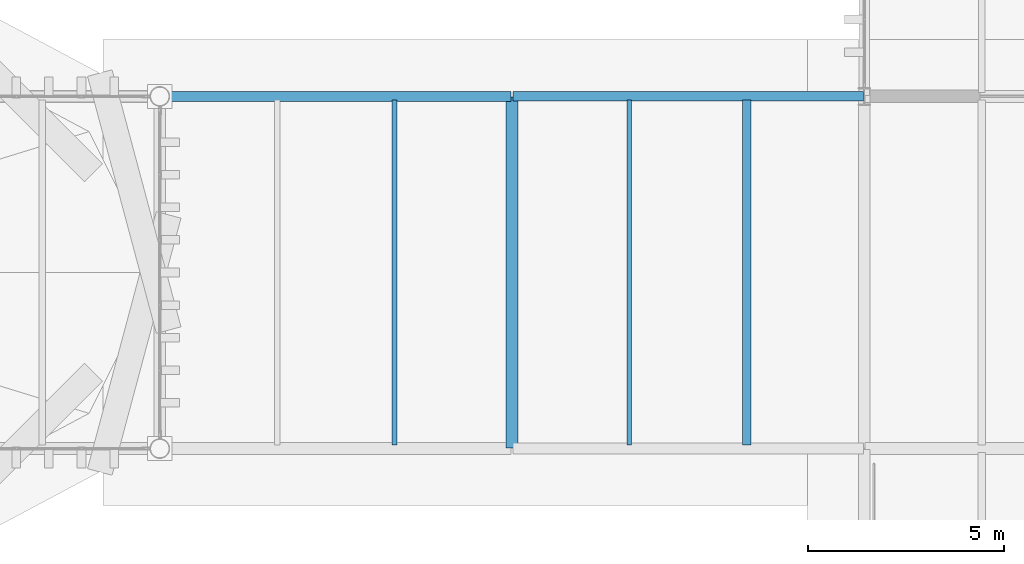
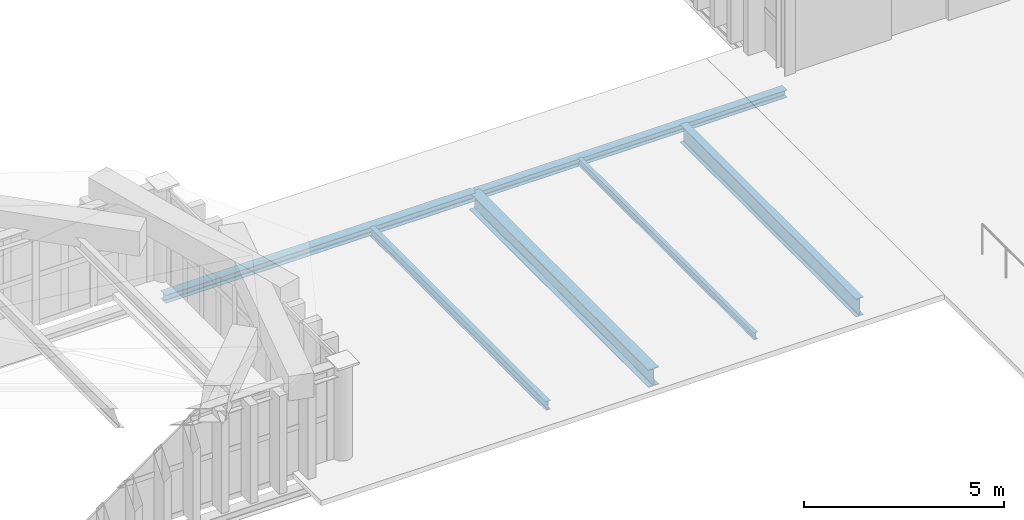
# One storey, part 23 of 102: 6 beams.
"""IFC4 building model written with IfcOpenShell, lengths in metres."""

from ifc_helpers import new_model, si_unit, direction, frame, origin, origin_2d, place, context, subcontext, project, spatial, i_section, extrude, material, material_profile, profile_set, type_object, element, save


model = new_model("IFC4")

# Units and contexts
model_context = context("Model", 3, precision=1e-05, world=origin(), true_north=direction((0.0, 1.0)))
body_context = subcontext(model_context, "Body", "Model", "MODEL_VIEW")
ifc_project = project(units=[si_unit("LENGTHUNIT", "METRE"), si_unit("AREAUNIT", "SQUARE_METRE"), si_unit("VOLUMEUNIT", "CUBIC_METRE"), si_unit("PLANEANGLEUNIT", "RADIAN"), si_unit("MASSUNIT", "GRAM", prefix="KILO")], contexts=[model_context])

# Site, building, storey
site_placement = place(None, origin())
site = spatial("IfcSite", under=ifc_project, at=site_placement, CompositionType="ELEMENT")
building_placement = place(site_placement, origin())
building = spatial("IfcBuilding", under=site, at=building_placement, Name="Barlavento Convention Centre", CompositionType="ELEMENT")
storey_placement = place(building_placement, frame((0.0, 0.0, 22.800048828125)))
storey = spatial("IfcBuildingStorey", under=building, at=storey_placement, Name="L04", CompositionType="ELEMENT", Elevation=22.800048828125)

# Beams
ifc_material = material(Name="Steel S355", Category="steel")
ifc_material_profile_1 = material_profile(ifc_material, i_section(OverallWidth=0.110107421875, OverallDepth=0.219970703125, WebThickness=0.005859375, FlangeThickness=0.00927734375, FilletRadius=0.011962890625, at=origin_2d()), Name="IPE 220")
ifc_profile_set_1 = profile_set([ifc_material_profile_1], Name="Steel S355")
beam_type_1 = type_object("IfcBeamType", Name="STR-BM-JST-IPE220", PredefinedType="JOIST", material=ifc_profile_set_1)
beam_1_placement = place(storey_placement, frame((120.0, 45.094970703125, -0.455078125), z_axis=(0.0, 1.0, 0.0), x_axis=(-1.0, 0.0, 0.0)))
element("IfcBeam", 1, at=beam_1_placement, inside=storey, type_object=beam_type_1, Name="L04 composite floor joist SJ10", PredefinedType="JOIST", context=body_context, shape_type="SweptSolid", body=[
    extrude(i_section(OverallWidth=0.110107421875, OverallDepth=0.219970703125, WebThickness=0.005859375, FlangeThickness=0.00927734375, FilletRadius=0.011962890625, at=origin_2d()), origin(), (0.0, 0.0, 1.0), 8.81005859375),
])
ifc_material_profile_2 = material_profile(ifc_material, i_section(OverallWidth=0.135009765625, OverallDepth=0.27001953125, WebThickness=0.006591796875, FlangeThickness=0.01025390625, FilletRadius=0.014892578125, at=origin_2d()), Name="IPE 270")
ifc_profile_set_2 = profile_set([ifc_material_profile_2], Name="Steel S355")
beam_type_2 = type_object("IfcBeamType", Name="STR-BM-JST-IPE270", PredefinedType="JOIST", material=ifc_profile_set_2)
beam_2_placement = place(storey_placement, frame((114.0, 45.094970703125, -0.47998046875), z_axis=(0.0, 1.0, 0.0), x_axis=(-1.0, 0.0, 0.0)))
element("IfcBeam", 2, at=beam_2_placement, inside=storey, type_object=beam_type_2, Name="L04 composite floor joist SJ08", PredefinedType="JOIST", context=body_context, shape_type="SweptSolid", body=[
    extrude(i_section(OverallWidth=0.135009765625, OverallDepth=0.27001953125, WebThickness=0.006591796875, FlangeThickness=0.01025390625, FilletRadius=0.014892578125, at=origin_2d()), origin(), (0.0, 0.0, 1.0), 8.81005859375),
])
ifc_material_profile_3 = material_profile(ifc_material, i_section(OverallWidth=0.2099609375, OverallDepth=0.550048828125, WebThickness=0.010986328125, FlangeThickness=0.01708984375, FilletRadius=0.02392578125, at=origin_2d()), Name="IPE 550")
ifc_profile_set_3 = profile_set([ifc_material_profile_3], Name="Steel S355")
beam_type_3 = type_object("IfcBeamType", Name="STR-BM-JST-IPE550", PredefinedType="JOIST", material=ifc_profile_set_3)
beam_3_placement = place(storey_placement, frame((123.0, 45.094970703125, -0.6201171875), z_axis=(0.0, 1.0, 0.0), x_axis=(-1.0, 0.0, 0.0)))
element("IfcBeam", 3, at=beam_3_placement, inside=storey, type_object=beam_type_3, Name="L04 composite floor joist SJ01", PredefinedType="JOIST", context=body_context, shape_type="SweptSolid", body=[
    extrude(i_section(OverallWidth=0.2099609375, OverallDepth=0.550048828125, WebThickness=0.010986328125, FlangeThickness=0.01708984375, FilletRadius=0.02392578125, at=origin_2d()), origin(), (0.0, 0.0, 1.0), 8.81005859375),
])
ifc_material_profile_4 = material_profile(ifc_material, i_section(OverallWidth=0.300048828125, OverallDepth=0.5400390625, WebThickness=0.012451171875, FlangeThickness=0.02392578125, FilletRadius=0.027099609375, at=origin_2d()), Name="HEA 550")
ifc_profile_set_4 = profile_set([ifc_material_profile_4], Name="Steel S355")
beam_type_4 = type_object("IfcBeamType", Name="STR-BM-PRI-HEA550", PredefinedType="BEAM", material=ifc_profile_set_4)
beam_4_placement = place(storey_placement, frame((117.0, 45.02001953125, -0.614990234375), z_axis=(0.0, 1.0, 0.0), x_axis=(-1.0, 0.0, 0.0)))
element("IfcBeam", 4, at=beam_4_placement, inside=storey, type_object=beam_type_4, Name="L04 grid girder BG19", PredefinedType="BEAM", context=body_context, shape_type="SweptSolid", body=[
    extrude(i_section(OverallWidth=0.300048828125, OverallDepth=0.5400390625, WebThickness=0.012451171875, FlangeThickness=0.02392578125, FilletRadius=0.027099609375, at=origin_2d()), origin(), (0.0, 0.0, 1.0), 8.9599609375),
])
ifc_material_profile_5 = material_profile(ifc_material, i_section(OverallWidth=0.239990234375, OverallDepth=0.22998046875, WebThickness=0.007568359375, FlangeThickness=0.011962890625, FilletRadius=0.02099609375, at=origin_2d()), Name="HEA 240")
ifc_profile_set_5 = profile_set([ifc_material_profile_5], Name="Steel S355")
beam_type_5 = type_object("IfcBeamType", Name="STR-BM-SPN-HEA240", PredefinedType="SPANDREL", material=ifc_profile_set_5)
beam_5_placement = place(storey_placement, frame((117.02001953125, 54.0, -0.47509765625), z_axis=(1.0, 0.0, 0.0), x_axis=(0.0, 1.0, 0.0)))
element("IfcBeam", 5, at=beam_5_placement, inside=storey, type_object=beam_type_5, Name="L04 primary girder SP05", PredefinedType="SPANDREL", context=body_context, shape_type="SweptSolid", body=[
    extrude(i_section(OverallWidth=0.239990234375, OverallDepth=0.22998046875, WebThickness=0.007568359375, FlangeThickness=0.011962890625, FilletRadius=0.02099609375, at=origin_2d()), origin(), (0.0, 0.0, 1.0), 8.9599609375),
])
ifc_material_profile_6 = material_profile(ifc_material, i_section(OverallWidth=0.260009765625, OverallDepth=0.25, WebThickness=0.007568359375, FlangeThickness=0.012451171875, FilletRadius=0.02392578125, at=origin_2d()), Name="HEA 260")
ifc_profile_set_6 = profile_set([ifc_material_profile_6], Name="Steel S355")
beam_type_6 = type_object("IfcBeamType", Name="STR-BM-SPN-HEA260", PredefinedType="SPANDREL", material=ifc_profile_set_6)
beam_6_placement = place(storey_placement, frame((108.02001953125, 54.0, -0.469970703125), z_axis=(1.0, 0.0, 0.0), x_axis=(0.0, 1.0, 0.0)))
element("IfcBeam", 6, at=beam_6_placement, inside=storey, type_object=beam_type_6, Name="L04 primary girder SP04", PredefinedType="SPANDREL", context=body_context, shape_type="SweptSolid", body=[
    extrude(i_section(OverallWidth=0.260009765625, OverallDepth=0.25, WebThickness=0.007568359375, FlangeThickness=0.012451171875, FilletRadius=0.02392578125, at=origin_2d()), origin(), (0.0, 0.0, 1.0), 8.9599609375),
])

save(model, "model.ifc")
